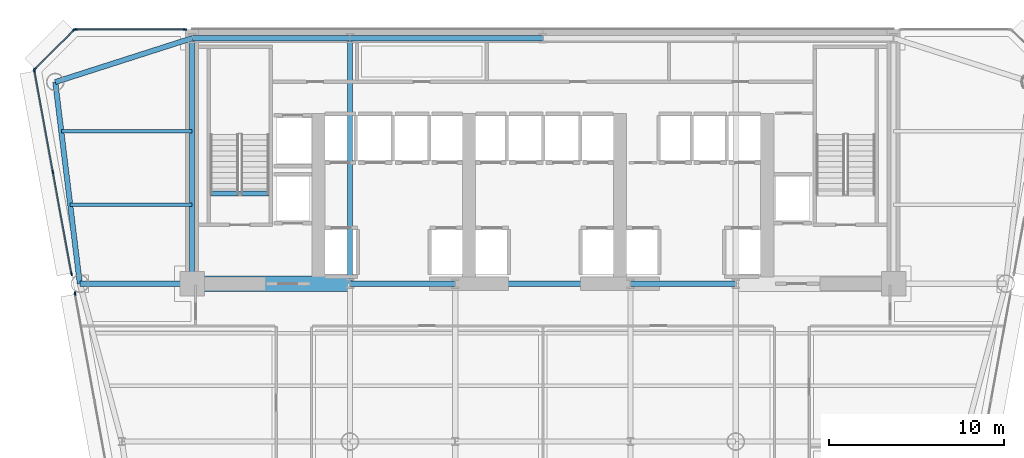
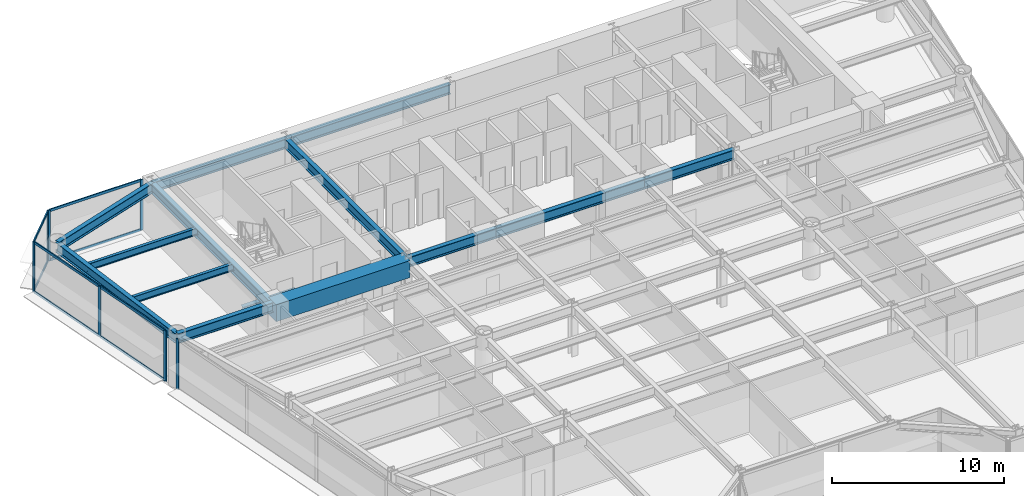
# One storey, part 5 of 14: 16 members, 14 beams, 4 elements without a shape of their own.
"""IFC4 building model written with IfcOpenShell, lengths in metres."""

from ifc_helpers import new_model, si_unit, direction, frame, origin, origin_2d, place, context, subcontext, project, spatial, rectangle, i_section, extrude, source, transform, mapped, material, layer, layer_set, material_profile, profile_set, type_object, element, aggregate, save


model = new_model("IFC4")

# Units and contexts
model_context = context("Model", 3, precision=1e-05, world=origin(), true_north=direction((0.0, 1.0)))
body_context = subcontext(model_context, "Body", "Model", "MODEL_VIEW")
ifc_project = project(units=[si_unit("LENGTHUNIT", "METRE"), si_unit("AREAUNIT", "SQUARE_METRE"), si_unit("VOLUMEUNIT", "CUBIC_METRE"), si_unit("PLANEANGLEUNIT", "RADIAN"), si_unit("MASSUNIT", "GRAM", prefix="KILO")], contexts=[model_context])

# Site, building, storey
site_placement = place(None, origin())
site = spatial("IfcSite", under=ifc_project, at=site_placement, CompositionType="ELEMENT")
building_placement = place(site_placement, origin())
building = spatial("IfcBuilding", under=site, at=building_placement, Name="Vaeldorn Concourse Tower", CompositionType="ELEMENT")
storey_placement = place(building_placement, frame((0.0, 0.0, 99.60009765625)))
storey = spatial("IfcBuildingStorey", under=building, at=storey_placement, Name="L25", CompositionType="ELEMENT", Elevation=99.60009765625)

# Beams
ifc_material_1 = material(Name="Concrete C60/75", Category="concrete")
ifc_material_profile_1 = material_profile(ifc_material_1, rectangle(XDim=0.89990234375, YDim=1.199951171875, at=origin_2d()), Name="RC 900x1200")
ifc_profile_set_1 = profile_set([ifc_material_profile_1], Name="Concrete C60/75")
beam_type_1 = type_object("IfcBeamType", Name="BM-CB-RC900", PredefinedType="BEAM", material=ifc_profile_set_1)
shared_shape_1 = source(origin(), body_context, "Body", "SweptSolid", [
    extrude(rectangle(XDim=0.89990234375, YDim=1.199951171875, at=origin_2d()), origin(), (0.0, 0.0, 1.0), 9.0),
])
beam_1_placement = place(storey_placement, frame((14.0, 36.5, 2.97998046875), z_axis=(1.0, 0.0, 0.0), x_axis=(0.0, 1.0, 0.0)))
element("IfcBeam", 1, at=beam_1_placement, inside=storey, type_object=beam_type_1, Name="Core Coupling Beam L25-1", PredefinedType="BEAM", context=body_context, shape_type="MappedRepresentation", body=[
    mapped(shared_shape_1, transform((0.0, 0.0, 0.0), scale=1.0)),
])
ifc_material_2 = material(Name="Steel S355", Category="steel")
ifc_material_profile_2 = material_profile(ifc_material_2, i_section(OverallWidth=0.300048828125, OverallDepth=0.340087890625, WebThickness=0.011962890625, FlangeThickness=0.021484375, FilletRadius=0.027099609375, at=origin_2d()), Name="HEB 340")
ifc_profile_set_2 = profile_set([ifc_material_profile_2], Name="Steel S355")
beam_type_2 = type_object("IfcBeamType", Name="BM-ST-TRIM", PredefinedType="BEAM", material=ifc_profile_set_2)
shared_shape_2 = source(origin(), body_context, "Body", "SweptSolid", [
    extrude(i_section(OverallWidth=0.300048828125, OverallDepth=0.340087890625, WebThickness=0.011962890625, FlangeThickness=0.021484375, FilletRadius=0.027099609375, at=origin_2d()), origin(), (0.0, 0.0, 1.0), 3.590087890625),
])
beam_2_placement = place(storey_placement, frame((14.929931640625, 41.639892578125, -0.39013671875), z_axis=(1.0, 0.0, 0.0), x_axis=(0.0, 1.0, 0.0)))
element("IfcBeam", 2, at=beam_2_placement, inside=storey, type_object=beam_type_2, Name="Stair Landing Trimmer Beam ST-1 L25", PredefinedType="BEAM", context=body_context, shape_type="MappedRepresentation", body=[
    mapped(shared_shape_2, transform((0.0, 0.0, 0.0), scale=1.0)),
])
ifc_material_profile_3 = material_profile(ifc_material_2, i_section(OverallWidth=0.199951171875, OverallDepth=0.5, WebThickness=0.01025390625, FlangeThickness=0.01611328125, FilletRadius=0.02099609375, at=origin_2d()), Name="IPE 500")
ifc_profile_set_3 = profile_set([ifc_material_profile_3], Name="Steel S355")
beam_type_3 = type_object("IfcBeamType", Name="BM-JS-IPE500", PredefinedType="JOIST", material=ifc_profile_set_3)
shared_shape_3 = source(origin(), body_context, "Body", "SweptSolid", [
    extrude(i_section(OverallWidth=0.199951171875, OverallDepth=0.5, WebThickness=0.01025390625, FlangeThickness=0.01611328125, FilletRadius=0.02099609375, at=origin_2d()), origin(), (0.0, 0.0, 1.0), 6.94775390625),
])
beam_3_placement = place(storey_placement, frame((7.05224609375, 41.0, 3.329833984375), z_axis=(1.0, 0.0, 0.0), x_axis=(0.0, 1.0, 0.0)))
element("IfcBeam", 3, at=beam_3_placement, inside=storey, type_object=beam_type_3, Name="Beam JS-L25-NW-410", PredefinedType="JOIST", context=body_context, shape_type="MappedRepresentation", body=[
    mapped(shared_shape_3, transform((0.0, 0.0, 0.0), scale=1.0)),
])
shared_shape_4 = source(origin(), body_context, "Body", "SweptSolid", [
    extrude(i_section(OverallWidth=0.199951171875, OverallDepth=0.5, WebThickness=0.01025390625, FlangeThickness=0.01611328125, FilletRadius=0.02099609375, at=origin_2d()), origin(), (0.0, 0.0, 1.0), 7.458984375),
])
beam_4_placement = place(storey_placement, frame((6.541015625, 45.199951171875, 3.329833984375), z_axis=(1.0, 0.0, 0.0), x_axis=(0.0, 1.0, 0.0)))
element("IfcBeam", 4, at=beam_4_placement, inside=storey, type_object=beam_type_3, Name="Beam JS-L25-NW-452", PredefinedType="JOIST", context=body_context, shape_type="MappedRepresentation", body=[
    mapped(shared_shape_4, transform((0.0, 0.0, 0.0), scale=1.0)),
])
ifc_material_profile_4 = material_profile(ifc_material_2, i_section(OverallWidth=0.300048828125, OverallDepth=0.699951171875, WebThickness=0.01708984375, FlangeThickness=0.031982421875, FilletRadius=0.027099609375, at=origin_2d()), Name="HEB 700")
ifc_profile_set_4 = profile_set([ifc_material_profile_4], Name="Steel S355")
beam_type_4 = type_object("IfcBeamType", Name="BM-PG-HEB700", PredefinedType="BEAM", material=ifc_profile_set_4)
shared_shape_5 = source(origin(), body_context, "Body", "SweptSolid", [
    extrude(i_section(OverallWidth=0.300048828125, OverallDepth=0.699951171875, WebThickness=0.01708984375, FlangeThickness=0.031982421875, FilletRadius=0.027099609375, at=origin_2d()), origin(), (0.0, 0.0, 1.0), 6.0),
])
for number, where, z_axis, x_axis, name in (
    (5, (23.0, 36.5, 3.22998046875), (1.0, 0.0, 0.0), (0.0, 1.0, 0.0), "Beam BM-L25-C-FC2-C-FC3"),
    (6, (39.0, 36.5, 3.22998046875), (1.0, 0.0, 0.0), (0.0, 1.0, 0.0), "Beam BM-L25-C-FC4-C-FC5"),
):
    element("IfcBeam", number, at=place(storey_placement, frame(where, z_axis=z_axis, x_axis=x_axis)), inside=storey, type_object=beam_type_4, Name=name, PredefinedType="BEAM", context=body_context, shape_type="MappedRepresentation", body=[
        mapped(shared_shape_5, transform((0.0, 0.0, 0.0), scale=1.0)),
    ])
shared_shape_6 = source(origin(), body_context, "Body", "SweptSolid", [
    extrude(i_section(OverallWidth=0.300048828125, OverallDepth=0.699951171875, WebThickness=0.01708984375, FlangeThickness=0.031982421875, FilletRadius=0.027099609375, at=origin_2d()), origin(), (0.0, 0.0, 1.0), 10.0),
])
beam_5_placement = place(storey_placement, frame((29.0, 36.5, 3.22998046875), z_axis=(1.0, 0.0, 0.0), x_axis=(0.0, 1.0, 0.0)))
element("IfcBeam", 7, at=beam_5_placement, inside=storey, type_object=beam_type_4, Name="Beam BM-L25-C-FC3-C-FC4", PredefinedType="BEAM", context=body_context, shape_type="MappedRepresentation", body=[
    mapped(shared_shape_6, transform((0.0, 0.0, 0.0), scale=1.0)),
])
shared_shape_7 = source(origin(), body_context, "Body", "SweptSolid", [
    extrude(i_section(OverallWidth=0.300048828125, OverallDepth=0.699951171875, WebThickness=0.01708984375, FlangeThickness=0.031982421875, FilletRadius=0.027099609375, at=origin_2d()), origin(), (0.0, 0.0, 1.0), 9.0),
])
beam_6_placement = place(storey_placement, frame((14.0, 50.5, 3.22998046875), z_axis=(1.0, 0.0, 0.0), x_axis=(0.0, 1.0, 0.0)))
element("IfcBeam", 8, at=beam_6_placement, inside=storey, type_object=beam_type_4, Name="Beam BM-L25-C-HC1-C-HC2", PredefinedType="BEAM", context=body_context, shape_type="MappedRepresentation", body=[
    mapped(shared_shape_7, transform((0.0, 0.0, 0.0), scale=1.0)),
])
shared_shape_8 = source(origin(), body_context, "Body", "SweptSolid", [
    extrude(i_section(OverallWidth=0.300048828125, OverallDepth=0.699951171875, WebThickness=0.01708984375, FlangeThickness=0.031982421875, FilletRadius=0.027099609375, at=origin_2d()), origin(), (0.0, 0.0, 1.0), 11.0),
])
beam_7_placement = place(storey_placement, frame((23.0, 50.5, 3.22998046875), z_axis=(1.0, 0.0, 0.0), x_axis=(0.0, 1.0, 0.0)))
element("IfcBeam", 9, at=beam_7_placement, inside=storey, type_object=beam_type_4, Name="Beam BM-L25-C-HC2-C-HC3", PredefinedType="BEAM", context=body_context, shape_type="MappedRepresentation", body=[
    mapped(shared_shape_8, transform((0.0, 0.0, 0.0), scale=1.0)),
])
shared_shape_9 = source(origin(), body_context, "Body", "SweptSolid", [
    extrude(i_section(OverallWidth=0.300048828125, OverallDepth=0.699951171875, WebThickness=0.01708984375, FlangeThickness=0.031982421875, FilletRadius=0.027099609375, at=origin_2d()), origin(), (0.0, 0.0, 1.0), 14.0),
])
for number, where, z_axis, x_axis, name in (
    (10, (14.0, 36.5, 3.22998046875), (0.0, 1.0, 0.0), (-1.0, 0.0, 0.0), "Beam BM-L25-C-FC1-C-HC1"),
    (11, (23.0, 36.5, 3.22998046875), (0.0, 1.0, 0.0), (-1.0, 0.0, 0.0), "Beam BM-L25-C-FC2-C-HC2"),
):
    element("IfcBeam", number, at=place(storey_placement, frame(where, z_axis=z_axis, x_axis=x_axis)), inside=storey, type_object=beam_type_4, Name=name, PredefinedType="BEAM", context=body_context, shape_type="MappedRepresentation", body=[
        mapped(shared_shape_9, transform((0.0, 0.0, 0.0), scale=1.0)),
    ])
shared_shape_10 = source(origin(), body_context, "Body", "SweptSolid", [
    extrude(i_section(OverallWidth=0.300048828125, OverallDepth=0.699951171875, WebThickness=0.01708984375, FlangeThickness=0.031982421875, FilletRadius=0.027099609375, at=origin_2d()), origin(), (0.0, 0.0, 1.0), 8.19091796875),
])
beam_8_placement = place(storey_placement, frame((6.199951171875, 48.0, 3.22998046875), z_axis=(0.952282843383, 0.305216949396, 0.0), x_axis=(-0.305216949396, 0.952282843383, 0.0)))
element("IfcBeam", 12, at=beam_8_placement, inside=storey, type_object=beam_type_4, Name="Beam BM-L25-C-NW1-C-HC1", PredefinedType="BEAM", context=body_context, shape_type="MappedRepresentation", body=[
    mapped(shared_shape_10, transform((0.0, 0.0, 0.0), scale=1.0)),
])
shared_shape_11 = source(origin(), body_context, "Body", "SweptSolid", [
    extrude(i_section(OverallWidth=0.300048828125, OverallDepth=0.699951171875, WebThickness=0.01708984375, FlangeThickness=0.031982421875, FilletRadius=0.027099609375, at=origin_2d()), origin(), (0.0, 0.0, 1.0), 11.5849609375),
])
beam_9_placement = place(storey_placement, frame((6.199951171875, 48.0, 3.22998046875), z_axis=(0.120859382899, -0.992669637677, 0.0), x_axis=(0.992669637677, 0.120859382899, 0.0)))
element("IfcBeam", 13, at=beam_9_placement, inside=storey, type_object=beam_type_4, Name="Beam BM-L25-C-NW1-C-NW2", PredefinedType="BEAM", context=body_context, shape_type="MappedRepresentation", body=[
    mapped(shared_shape_11, transform((0.0, 0.0, 0.0), scale=1.0)),
])
shared_shape_12 = source(origin(), body_context, "Body", "SweptSolid", [
    extrude(i_section(OverallWidth=0.300048828125, OverallDepth=0.699951171875, WebThickness=0.01708984375, FlangeThickness=0.031982421875, FilletRadius=0.027099609375, at=origin_2d()), origin(), (0.0, 0.0, 1.0), 6.39990234375),
])
beam_10_placement = place(storey_placement, frame((7.60009765625, 36.5, 3.22998046875), z_axis=(1.0, 0.0, 0.0), x_axis=(0.0, 1.0, 0.0)))
element("IfcBeam", 14, at=beam_10_placement, inside=storey, type_object=beam_type_4, Name="Beam BM-L25-C-NW2-C-FC1", PredefinedType="BEAM", context=body_context, shape_type="MappedRepresentation", body=[
    mapped(shared_shape_12, transform((0.0, 0.0, 0.0), scale=1.0)),
])

# Curtain wall, members
ifc_material_3 = material(Name="Anodised Bronze Aluminium", Category="aluminium")
ifc_layer = layer(ifc_material_3, 0.2099609375)
ifc_layer_set = layer_set([ifc_layer], Name="Anodised Bronze Aluminium")
curtain_wall_type = type_object("IfcCurtainWallType", Name="CW-SYS-06", PredefinedType="NOTDEFINED", material=ifc_layer_set)
curtain_wall_1_placement = place(storey_placement, origin())
curtain_wall_1 = element("IfcCurtainWall", 15, at=curtain_wall_1_placement, inside=storey, type_object=curtain_wall_type, Name="Unitised Curtain Wall CW-L25-E09-2", PredefinedType="NOTDEFINED")
ifc_material_profile_5 = material_profile(ifc_material_3, rectangle(XDim=0.074951171875, YDim=0.219970703125, at=origin_2d()), Name="CWM 75x220")
ifc_profile_set_5 = profile_set([ifc_material_profile_5], Name="Anodised Bronze Aluminium")
member_type_1 = type_object("IfcMemberType", Name="CWM-BRONZE-220", PredefinedType="MULLION", material=ifc_profile_set_5)
shared_shape_13 = source(origin(), body_context, "Body", "SweptSolid", [
    extrude(rectangle(XDim=0.074951171875, YDim=0.219970703125, at=origin_2d()), origin(), (0.0, 0.0, 1.0), 3.579833984375),
])
member_1_placement = place(storey_placement, frame((13.592529296875, 51.0, 0.0), z_axis=(0.0, 0.0, 1.0), x_axis=(0.0, -1.0, 0.0)))
member_1 = element("IfcMember", 16, at=member_1_placement, type_object=member_type_1, Name="CW-06 mullion 1", PredefinedType="MULLION", context=body_context, shape_type="MappedRepresentation", body=[
    mapped(shared_shape_13, transform((0.0, 0.0, 0.0), scale=1.0)),
])
member_2_placement = place(storey_placement, frame((7.33740234375, 51.0, 0.0), z_axis=(0.0, 0.0, 1.0), x_axis=(0.0, -1.0, 0.0)))
member_2 = element("IfcMember", 17, at=member_2_placement, type_object=member_type_1, Name="CW-06 mullion 2", PredefinedType="MULLION", context=body_context, shape_type="MappedRepresentation", body=[
    mapped(shared_shape_13, transform((0.0, 0.0, 0.0), scale=1.0)),
])

curtain_wall_2_placement = place(storey_placement, origin())
curtain_wall_2 = element("IfcCurtainWall", 18, at=curtain_wall_2_placement, inside=storey, type_object=curtain_wall_type, Name="Unitised Curtain Wall CW-L25-E10-1", PredefinedType="NOTDEFINED")
member_3_placement = place(storey_placement, frame((7.2734375, 50.973388671875, 0.0), z_axis=(0.0, 0.0, 1.0), x_axis=(0.707106781187, -0.707106781187, 0.0)))
member_3 = element("IfcMember", 19, at=member_3_placement, type_object=member_type_1, Name="CW-06 mullion 1", PredefinedType="MULLION", context=body_context, shape_type="MappedRepresentation", body=[
    mapped(shared_shape_13, transform((0.0, 0.0, 0.0), scale=1.0)),
])
member_4_placement = place(storey_placement, frame((5.026611328125, 48.7265625, 0.0), z_axis=(0.0, 0.0, 1.0), x_axis=(0.707106781187, -0.707106781187, 0.0)))
member_4 = element("IfcMember", 20, at=member_4_placement, type_object=member_type_1, Name="CW-06 mullion 2", PredefinedType="MULLION", context=body_context, shape_type="MappedRepresentation", body=[
    mapped(shared_shape_13, transform((0.0, 0.0, 0.0), scale=1.0)),
])

curtain_wall_3_placement = place(storey_placement, origin())
curtain_wall_3 = element("IfcCurtainWall", 21, at=curtain_wall_3_placement, inside=storey, type_object=curtain_wall_type, Name="Unitised Curtain Wall CW-L25-E11-1", PredefinedType="NOTDEFINED")
member_5_placement = place(storey_placement, frame((5.0068359375, 48.6630859375, 0.0), z_axis=(0.0, 0.0, 1.0), x_axis=(0.983763021759, 0.179472329396, 0.0)))
member_5 = element("IfcMember", 22, at=member_5_placement, type_object=member_type_1, Name="CW-06 mullion 1", PredefinedType="MULLION", context=body_context, shape_type="MappedRepresentation", body=[
    mapped(shared_shape_13, transform((0.0, 0.0, 0.0), scale=1.0)),
])
member_6_placement = place(storey_placement, frame((6.065673828125, 42.85888671875, 0.0), z_axis=(0.0, 0.0, 1.0), x_axis=(0.983763021759, 0.179472329396, 0.0)))
member_6 = element("IfcMember", 23, at=member_6_placement, type_object=member_type_1, Name="CW-06 mullion 2", PredefinedType="MULLION", context=body_context, shape_type="MappedRepresentation", body=[
    mapped(shared_shape_13, transform((0.0, 0.0, 0.0), scale=1.0)),
])
member_7_placement = place(storey_placement, frame((7.12451171875, 37.054931640625, 0.0), z_axis=(0.0, 0.0, 1.0), x_axis=(0.983763021759, 0.179472329396, 0.0)))
member_7 = element("IfcMember", 24, at=member_7_placement, type_object=member_type_1, Name="CW-06 mullion 3", PredefinedType="MULLION", context=body_context, shape_type="MappedRepresentation", body=[
    mapped(shared_shape_13, transform((0.0, 0.0, 0.0), scale=1.0)),
])

# Curtain wall, member
curtain_wall_4_placement = place(storey_placement, origin())
curtain_wall_4 = element("IfcCurtainWall", 25, at=curtain_wall_4_placement, inside=storey, type_object=curtain_wall_type, Name="Unitised Curtain Wall CW-L25-E11-2", PredefinedType="NOTDEFINED")
member_8_placement = place(storey_placement, frame((7.326904296875, 35.945068359375, 0.0), z_axis=(0.0, 0.0, 1.0), x_axis=(0.98376286924, 0.179473165416, 0.0)))
member_8 = element("IfcMember", 26, at=member_8_placement, type_object=member_type_1, Name="CW-06 mullion 1", PredefinedType="MULLION", context=body_context, shape_type="MappedRepresentation", body=[
    mapped(shared_shape_13, transform((0.0, 0.0, 0.0), scale=1.0)),
])
aggregate(curtain_wall_4, [member_8])

# Member
ifc_material_profile_6 = material_profile(ifc_material_3, rectangle(XDim=0.074951171875, YDim=0.179931640625, at=origin_2d()), Name="CWT 75x180")
ifc_profile_set_6 = profile_set([ifc_material_profile_6], Name="Anodised Bronze Aluminium")
member_type_2 = type_object("IfcMemberType", Name="CWT-BRONZE-180", PredefinedType="USERDEFINED", material=ifc_profile_set_6)
shared_shape_14 = source(origin(), body_context, "Body", "SweptSolid", [
    extrude(rectangle(XDim=0.074951171875, YDim=0.179931640625, at=origin_2d()), origin(), (0.0, 0.0, 1.0), 3.10302734375),
])
member_9_placement = place(storey_placement, frame((7.2470703125, 50.947021484375, 0.037353515625), z_axis=(-0.707106781187, -0.707106781187, 0.0), x_axis=(0.707106781187, -0.707106781187, 0.0)))
member_9 = element("IfcMember", 27, at=member_9_placement, type_object=member_type_2, Name="CW-06 transom 1.1", ObjectType="TRANSOM", PredefinedType="USERDEFINED", context=body_context, shape_type="MappedRepresentation", body=[
    mapped(shared_shape_14, transform((0.0, 0.0, 0.0), scale=1.0)),
])

member_10_placement = place(storey_placement, frame((7.2470703125, 50.947021484375, 3.54248046875), z_axis=(-0.707106781187, -0.707106781187, 0.0), x_axis=(0.707106781187, -0.707106781187, 0.0)))
member_10 = element("IfcMember", 28, at=member_10_placement, type_object=member_type_2, Name="CW-06 transom 1.2", ObjectType="TRANSOM", PredefinedType="USERDEFINED", context=body_context, shape_type="MappedRepresentation", body=[
    mapped(shared_shape_14, transform((0.0, 0.0, 0.0), scale=1.0)),
])

aggregate(curtain_wall_2, [member_3, member_4, member_9, member_10])

shared_shape_15 = source(origin(), body_context, "Body", "SweptSolid", [
    extrude(rectangle(XDim=0.074951171875, YDim=0.179931640625, at=origin_2d()), origin(), (0.0, 0.0, 1.0), 6.179931640625),
])
member_11_placement = place(storey_placement, frame((13.554931640625, 51.0, 0.037353515625), z_axis=(-1.0, 0.0, 0.0), x_axis=(0.0, -1.0, 0.0)))
member_11 = element("IfcMember", 29, at=member_11_placement, type_object=member_type_2, Name="CW-06 transom 1.1", ObjectType="TRANSOM", PredefinedType="USERDEFINED", context=body_context, shape_type="MappedRepresentation", body=[
    mapped(shared_shape_15, transform((0.0, 0.0, 0.0), scale=1.0)),
])

member_12_placement = place(storey_placement, frame((13.554931640625, 51.0, 3.54248046875), z_axis=(-1.0, 0.0, 0.0), x_axis=(0.0, -1.0, 0.0)))
member_12 = element("IfcMember", 30, at=member_12_placement, type_object=member_type_2, Name="CW-06 transom 1.2", ObjectType="TRANSOM", PredefinedType="USERDEFINED", context=body_context, shape_type="MappedRepresentation", body=[
    mapped(shared_shape_15, transform((0.0, 0.0, 0.0), scale=1.0)),
])

aggregate(curtain_wall_1, [member_1, member_2, member_11, member_12])

shared_shape_16 = source(origin(), body_context, "Body", "SweptSolid", [
    extrude(rectangle(XDim=0.074951171875, YDim=0.179931640625, at=origin_2d()), origin(), (0.0, 0.0, 1.0), 5.82470703125),
])
member_13_placement = place(storey_placement, frame((5.013427734375, 48.626220703125, 0.037353515625), z_axis=(0.179475554503, -0.983762433383, 0.0), x_axis=(0.983762433383, 0.179475554503, 0.0)))
member_13 = element("IfcMember", 31, at=member_13_placement, type_object=member_type_2, Name="CW-06 transom 1.1", ObjectType="TRANSOM", PredefinedType="USERDEFINED", context=body_context, shape_type="MappedRepresentation", body=[
    mapped(shared_shape_16, transform((0.0, 0.0, 0.0), scale=1.0)),
])

member_14_placement = place(storey_placement, frame((5.013427734375, 48.626220703125, 3.54248046875), z_axis=(0.179475554503, -0.983762433383, 0.0), x_axis=(0.983762433383, 0.179475554503, 0.0)))
member_14 = element("IfcMember", 32, at=member_14_placement, type_object=member_type_2, Name="CW-06 transom 1.2", ObjectType="TRANSOM", PredefinedType="USERDEFINED", context=body_context, shape_type="MappedRepresentation", body=[
    mapped(shared_shape_16, transform((0.0, 0.0, 0.0), scale=1.0)),
])

member_15_placement = place(storey_placement, frame((6.072265625, 42.822021484375, 0.037353515625), z_axis=(0.179475554503, -0.983762433383, 0.0), x_axis=(0.983762433383, 0.179475554503, 0.0)))
member_15 = element("IfcMember", 33, at=member_15_placement, type_object=member_type_2, Name="CW-06 transom 2.1", ObjectType="TRANSOM", PredefinedType="USERDEFINED", context=body_context, shape_type="MappedRepresentation", body=[
    mapped(shared_shape_16, transform((0.0, 0.0, 0.0), scale=1.0)),
])

member_16_placement = place(storey_placement, frame((6.072265625, 42.822021484375, 3.54248046875), z_axis=(0.179475554503, -0.983762433383, 0.0), x_axis=(0.983762433383, 0.179475554503, 0.0)))
member_16 = element("IfcMember", 34, at=member_16_placement, type_object=member_type_2, Name="CW-06 transom 2.2", ObjectType="TRANSOM", PredefinedType="USERDEFINED", context=body_context, shape_type="MappedRepresentation", body=[
    mapped(shared_shape_16, transform((0.0, 0.0, 0.0), scale=1.0)),
])

aggregate(curtain_wall_3, [member_5, member_6, member_7, member_13, member_14, member_15, member_16])

save(model, "model.ifc")
